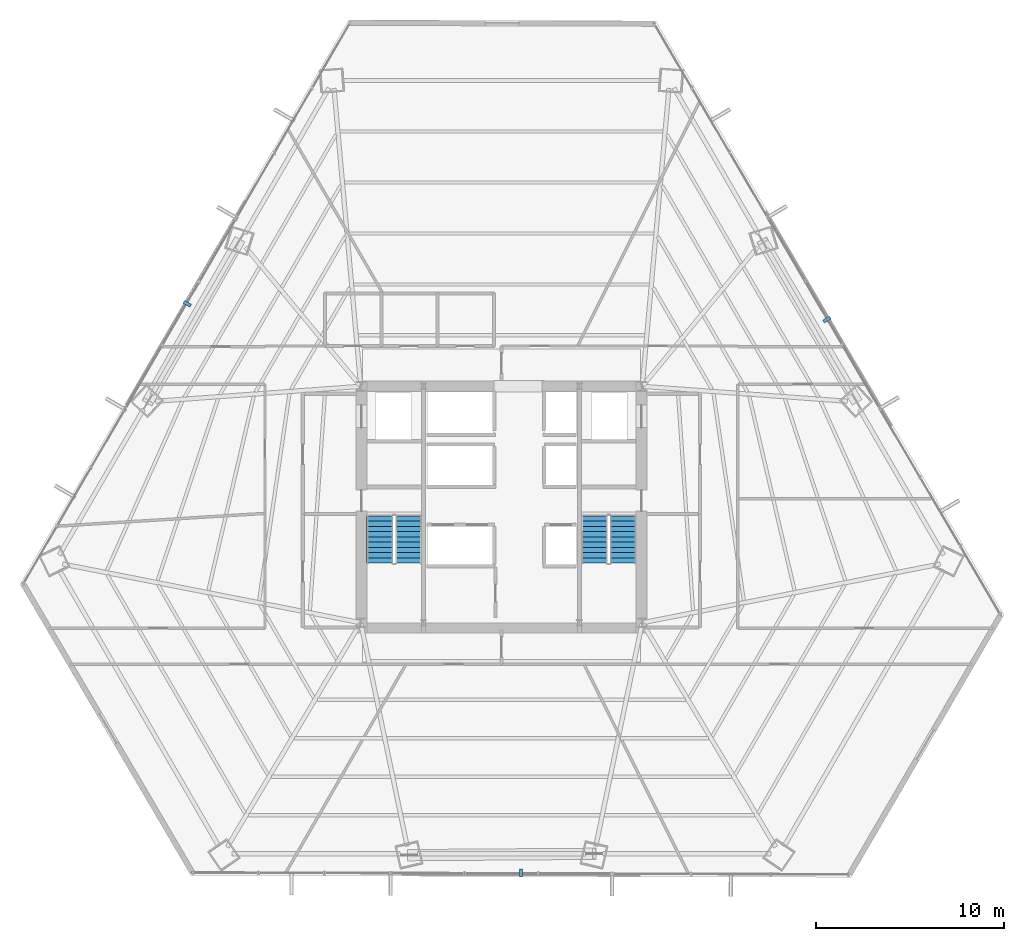
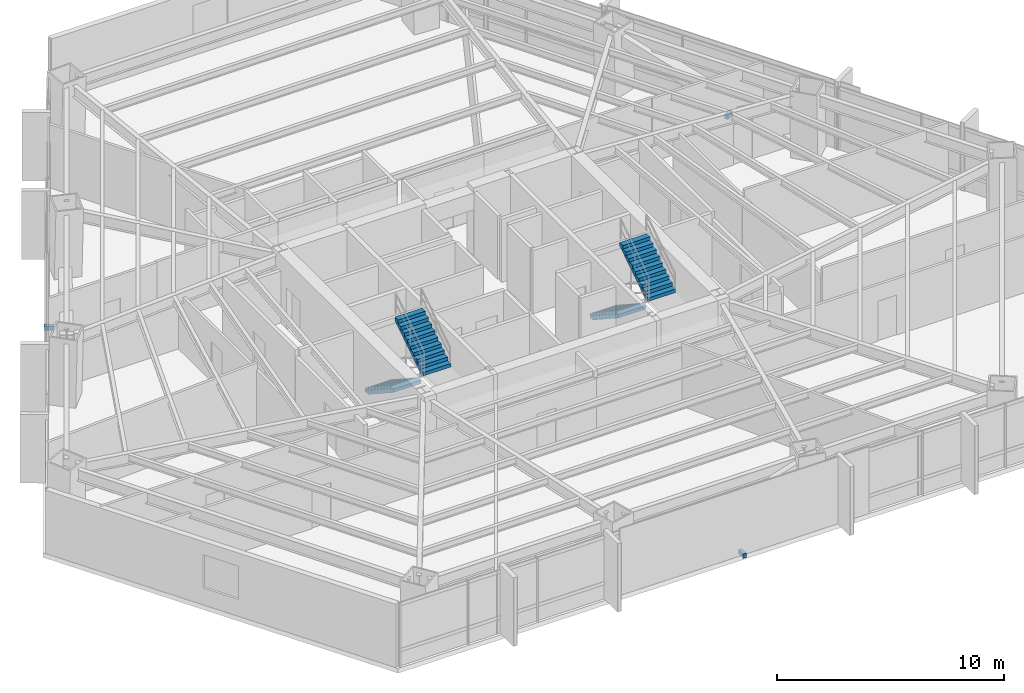
# One storey, part 30 of 33: 4 stair flights, 3 discrete accessories, 2 elements without a shape of their own.
"""IFC4 building model written with IfcOpenShell, lengths in metres."""

from ifc_helpers import new_model, si_unit, direction, frame, origin, origin_2d, place, context, subcontext, project, spatial, polyline, rectangle, outline, extrude, source, transform, mapped, material, type_object, type_shapes, element, aggregate, save


model = new_model("IFC4")

# Units and contexts
model_context = context("Model", 3, precision=1e-05, world=origin(), true_north=direction((0.0, 1.0)))
body_context = subcontext(model_context, "Body", "Model", "MODEL_VIEW")
ifc_project = project(units=[si_unit("LENGTHUNIT", "METRE"), si_unit("AREAUNIT", "SQUARE_METRE"), si_unit("VOLUMEUNIT", "CUBIC_METRE"), si_unit("PLANEANGLEUNIT", "RADIAN"), si_unit("MASSUNIT", "GRAM", prefix="KILO")], contexts=[model_context])

# Site, building, storey
site_placement = place(None, origin())
site = spatial("IfcSite", under=ifc_project, at=site_placement, CompositionType="ELEMENT")
building_placement = place(site_placement, origin())
building = spatial("IfcBuilding", under=site, at=building_placement, Name="Caelisora Broadcast Tower", CompositionType="ELEMENT")
storey_placement = place(building_placement, frame((0.0, 0.0, 38.550048828125)))
storey = spatial("IfcBuildingStorey", under=building, at=storey_placement, Name="L09", CompositionType="ELEMENT", Elevation=38.550048828125)

# Stair, stair flights
ifc_material_1 = material(Name="Concrete 40 MPa (AS 3600 N40)", Category="concrete")
stair_type_1 = type_object("IfcStairType", Name="ST-1", PredefinedType="HALF_TURN_STAIR", material=ifc_material_1)
stair_1_placement = place(storey_placement, origin())
stair_1 = element("IfcStair", 1, at=stair_1_placement, inside=storey, type_object=stair_type_1, Name="L09 West Fire-Isolated Tower Stair", PredefinedType="HALF_TURN_STAIR")
stair_flight_type = type_object("IfcStairFlightType", Name="STF-2", PredefinedType="STRAIGHT", material=ifc_material_1)
stair_flight_1_placement = place(storey_placement, frame((31.52001953125, 23.10009765625, 0.0), z_axis=(0.0, 0.0, 1.0), x_axis=(0.0, -1.0, 0.0)))
stair_flight_1 = element("IfcStairFlight", 2, at=stair_flight_1_placement, type_object=stair_flight_type, Name="ST-1 flight 1", NumberOfRisers=10, NumberOfTreads=9, PredefinedType="STRAIGHT", RiserHeight=0.1825, TreadLength=0.28, context=body_context, shape_type="SweptSolid", body=[
    extrude(outline(polyline([(0.0, 0.0), (0.0, 0.1826171875), (0.280029296875, 0.1826171875), (0.280029296875, 0.364990234375), (0.56005859375, 0.364990234375), (0.56005859375, 0.547607421875), (0.840087890625, 0.547607421875), (0.840087890625, 0.72998046875), (1.1201171875, 0.72998046875), (1.1201171875, 0.91259765625), (1.39990234375, 0.91259765625), (1.39990234375, 1.094970703125), (1.679931640625, 1.094970703125), (1.679931640625, 1.277587890625), (1.9599609375, 1.277587890625), (1.9599609375, 1.4599609375), (2.239990234375, 1.4599609375), (2.239990234375, 1.642578125), (2.52001953125, 1.642578125), (2.52001953125, 1.824951171875), (2.52001953125, 1.463623046875), (0.2744140625, 0.0), (0.0, 0.0)])), frame((0.0, 0.699951171875, 0.0), z_axis=(0.0, -1.0, 0.0), x_axis=(1.0, 0.0, 0.0)), (0.0, 0.0, 1.0), 1.39990234375),
])
stair_flight_2_placement = place(storey_placement, frame((33.0400390625, 20.580078125, 1.824951171875), z_axis=(0.0, 0.0, 1.0), x_axis=(0.0, 1.0, 0.0)))
stair_flight_2 = element("IfcStairFlight", 3, at=stair_flight_2_placement, type_object=stair_flight_type, Name="ST-1 flight 2", NumberOfRisers=10, NumberOfTreads=9, PredefinedType="STRAIGHT", RiserHeight=0.1825, TreadLength=0.28, context=body_context, shape_type="SweptSolid", body=[
    extrude(outline(polyline([(0.0, 0.0), (0.0, 0.1826171875), (0.280029296875, 0.1826171875), (0.280029296875, 0.364990234375), (0.56005859375, 0.364990234375), (0.56005859375, 0.547607421875), (0.840087890625, 0.547607421875), (0.840087890625, 0.72998046875), (1.1201171875, 0.72998046875), (1.1201171875, 0.91259765625), (1.39990234375, 0.91259765625), (1.39990234375, 1.094970703125), (1.679931640625, 1.094970703125), (1.679931640625, 1.277587890625), (1.9599609375, 1.277587890625), (1.9599609375, 1.4599609375), (2.239990234375, 1.4599609375), (2.239990234375, 1.642578125), (2.52001953125, 1.642578125), (2.52001953125, 1.824951171875), (2.52001953125, 1.463623046875), (0.2744140625, 0.0), (0.0, 0.0)])), frame((0.0, 0.699951171875, 0.0), z_axis=(0.0, -1.0, 0.0), x_axis=(1.0, 0.0, 0.0)), (0.0, 0.0, 1.0), 1.39990234375),
])
aggregate(stair_1, [stair_flight_1, stair_flight_2])

stair_type_2 = type_object("IfcStairType", Name="ST-2", PredefinedType="HALF_TURN_STAIR", material=ifc_material_1)
stair_2_placement = place(storey_placement, origin())
stair_2 = element("IfcStair", 4, at=stair_2_placement, inside=storey, type_object=stair_type_2, Name="L09 East Fire-Isolated Tower Stair", PredefinedType="HALF_TURN_STAIR")
stair_flight_3_placement = place(storey_placement, frame((42.9599609375, 23.10009765625, 0.0), z_axis=(0.0, 0.0, 1.0), x_axis=(0.0, -1.0, 0.0)))
stair_flight_3 = element("IfcStairFlight", 5, at=stair_flight_3_placement, type_object=stair_flight_type, Name="ST-2 flight 1", NumberOfRisers=10, NumberOfTreads=9, PredefinedType="STRAIGHT", RiserHeight=0.1825, TreadLength=0.28, context=body_context, shape_type="SweptSolid", body=[
    extrude(outline(polyline([(0.0, 0.0), (0.0, 0.1826171875), (0.280029296875, 0.1826171875), (0.280029296875, 0.364990234375), (0.56005859375, 0.364990234375), (0.56005859375, 0.547607421875), (0.840087890625, 0.547607421875), (0.840087890625, 0.72998046875), (1.1201171875, 0.72998046875), (1.1201171875, 0.91259765625), (1.39990234375, 0.91259765625), (1.39990234375, 1.094970703125), (1.679931640625, 1.094970703125), (1.679931640625, 1.277587890625), (1.9599609375, 1.277587890625), (1.9599609375, 1.4599609375), (2.239990234375, 1.4599609375), (2.239990234375, 1.642578125), (2.52001953125, 1.642578125), (2.52001953125, 1.824951171875), (2.52001953125, 1.463623046875), (0.2744140625, 0.0), (0.0, 0.0)])), frame((0.0, 0.699951171875, 0.0), z_axis=(0.0, -1.0, 0.0), x_axis=(1.0, 0.0, 0.0)), (0.0, 0.0, 1.0), 1.39990234375),
])
stair_flight_4_placement = place(storey_placement, frame((44.47998046875, 20.580078125, 1.824951171875), z_axis=(0.0, 0.0, 1.0), x_axis=(0.0, 1.0, 0.0)))
stair_flight_4 = element("IfcStairFlight", 6, at=stair_flight_4_placement, type_object=stair_flight_type, Name="ST-2 flight 2", NumberOfRisers=10, NumberOfTreads=9, PredefinedType="STRAIGHT", RiserHeight=0.1825, TreadLength=0.28, context=body_context, shape_type="SweptSolid", body=[
    extrude(outline(polyline([(0.0, 0.0), (0.0, 0.1826171875), (0.280029296875, 0.1826171875), (0.280029296875, 0.364990234375), (0.56005859375, 0.364990234375), (0.56005859375, 0.547607421875), (0.840087890625, 0.547607421875), (0.840087890625, 0.72998046875), (1.1201171875, 0.72998046875), (1.1201171875, 0.91259765625), (1.39990234375, 0.91259765625), (1.39990234375, 1.094970703125), (1.679931640625, 1.094970703125), (1.679931640625, 1.277587890625), (1.9599609375, 1.277587890625), (1.9599609375, 1.4599609375), (2.239990234375, 1.4599609375), (2.239990234375, 1.642578125), (2.52001953125, 1.642578125), (2.52001953125, 1.824951171875), (2.52001953125, 1.463623046875), (0.2744140625, 0.0), (0.0, 0.0)])), frame((0.0, 0.699951171875, 0.0), z_axis=(0.0, -1.0, 0.0), x_axis=(1.0, 0.0, 0.0)), (0.0, 0.0, 1.0), 1.39990234375),
])
aggregate(stair_2, [stair_flight_3, stair_flight_4])

# Discrete accessories
ifc_material_2 = material(Name="Steel Grade 350 (AS/NZS 3679.1)", Category="steel")
discrete_accessory_type = type_object("IfcDiscreteAccessoryType", Name="BRK-1", PredefinedType="BRACKET", material=ifc_material_2)
shared_shape = source(origin(), body_context, "Body", "SweptSolid", [
    extrude(rectangle(XDim=0.179931640625, YDim=0.419921875, at=origin_2d()), origin(), (0.0, 0.0, 1.0), 0.219970703125),
])
type_shapes(discrete_accessory_type, [shared_shape])
for number, where, z_axis, x_axis, name in (
    (7, (21.2529296875, 34.39990234375, -0.16015625), (0.0, 0.0, 1.0), (-0.503321604797, -0.864099162217, 0.0), "L09 solar screen outrigger bracket #1"),
    (8, (39.03857421875, 4.06396484375, -0.16015625), (0.0, 0.0, 1.0), (0.9999961009, -0.002792523174, 0.0), "L09 solar screen outrigger bracket #2"),
    (9, (55.3466796875, 33.55908203125, -0.16015625), (0.0, 0.0, 1.0), (-0.505732659231, 0.862690255763, 0.0), "L09 solar screen outrigger bracket #3"),
):
    element("IfcDiscreteAccessory", number, at=place(storey_placement, frame(where, z_axis=z_axis, x_axis=x_axis)), inside=storey, type_object=discrete_accessory_type, Name=name, PredefinedType="BRACKET", context=body_context, shape_type="MappedRepresentation", body=[
        mapped(shared_shape, transform((0.0, 0.0, 0.0), scale=1.0)),
    ])

save(model, "model.ifc")
